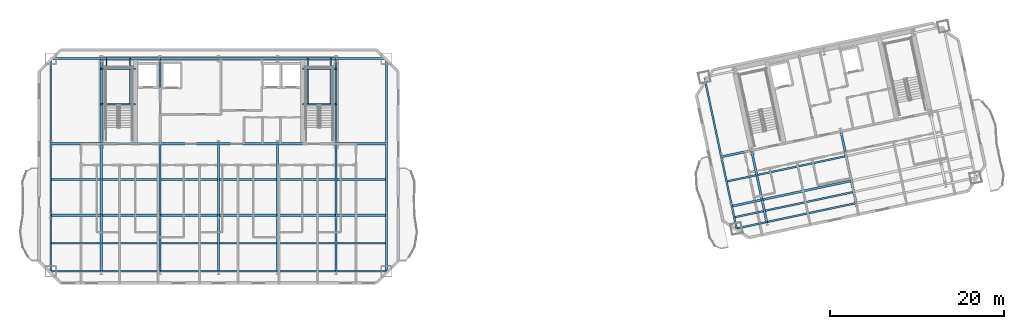
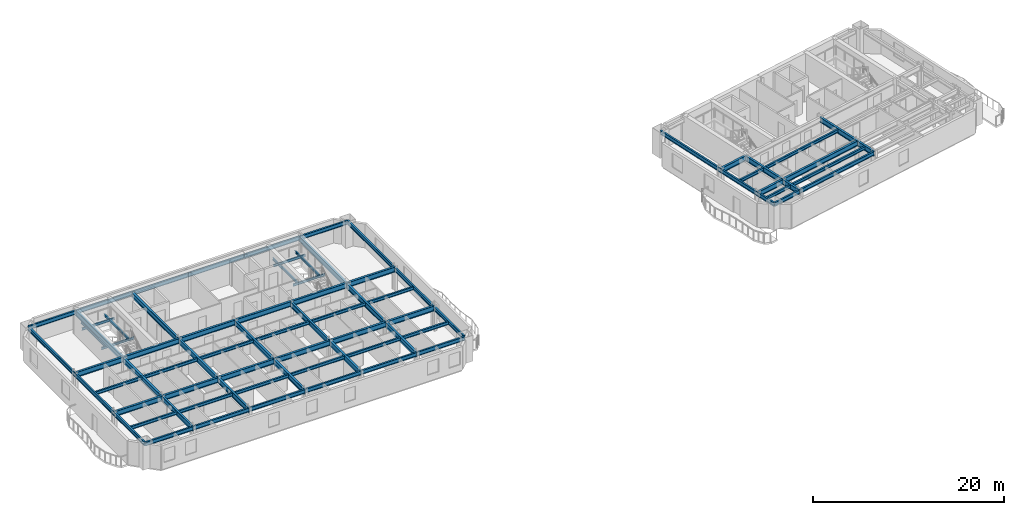
# One storey, part 3 of 14: 79 beams.
"""IFC4 building model written with IfcOpenShell, lengths in metres."""

from ifc_helpers import new_model, si_unit, direction, frame, origin, origin_2d, place, context, subcontext, project, spatial, i_section, extrude, material, material_profile, profile_set, type_object, element, save


model = new_model("IFC4")

# Units and contexts
model_context = context("Model", 3, precision=1e-05, world=origin(), true_north=direction((0.0, 1.0)))
body_context = subcontext(model_context, "Body", "Model", "MODEL_VIEW")
ifc_project = project(units=[si_unit("LENGTHUNIT", "METRE"), si_unit("AREAUNIT", "SQUARE_METRE"), si_unit("VOLUMEUNIT", "CUBIC_METRE"), si_unit("PLANEANGLEUNIT", "RADIAN"), si_unit("MASSUNIT", "GRAM", prefix="KILO")], contexts=[model_context])

# Site, building, storey
site_placement = place(None, origin())
site = spatial("IfcSite", under=ifc_project, at=site_placement, CompositionType="ELEMENT")
building_placement = place(site_placement, origin())
building = spatial("IfcBuilding", under=site, at=building_placement, Name="Haevon Station Towers", CompositionType="ELEMENT")
storey_placement = place(building_placement, frame((0.0, 0.0, 179.10009765625)))
storey = spatial("IfcBuildingStorey", under=building, at=storey_placement, Name="L49", CompositionType="ELEMENT", Elevation=179.10009765625)

# Beams
ifc_material = material(Name="Steel S355", Category="steel")
ifc_material_profile_1 = material_profile(ifc_material, i_section(OverallWidth=0.25, OverallDepth=0.64990234375, WebThickness=0.012939453125, FlangeThickness=0.02197265625, at=origin_2d()), Name="H-650x250x13x22")
ifc_profile_set_1 = profile_set([ifc_material_profile_1], Name="Steel S355")
beam_type_1 = type_object("IfcBeamType", Name="BM-G650", PredefinedType="BEAM", material=ifc_profile_set_1)
beam_1_placement = place(storey_placement, frame((18.199951171875, 30.0, 2.724853515625), z_axis=(1.0, 0.0, 0.0), x_axis=(0.0, 1.0, 0.0)))
element("IfcBeam", 1, at=beam_1_placement, inside=storey, type_object=beam_type_1, Name="BM-T1U-L49-02-01", PredefinedType="BEAM", context=body_context, shape_type="SweptSolid", body=[
    extrude(i_section(OverallWidth=0.25, OverallDepth=0.64990234375, WebThickness=0.012939453125, FlangeThickness=0.02197265625, at=origin_2d()), origin(), (0.0, 0.0, 1.0), 5.800048828125),
])
for number, where, z_axis, x_axis, name in (
    (2, (24.0, 30.0, 2.724853515625), (1.0, 0.0, 0.0), (0.0, 1.0, 0.0), "BM-T1U-L49-02-02"),
    (3, (30.75, 30.0, 2.724853515625), (1.0, 0.0, 0.0), (0.0, 1.0, 0.0), "BM-T1U-L49-02-03"),
    (4, (37.5, 30.0, 2.724853515625), (1.0, 0.0, 0.0), (0.0, 1.0, 0.0), "BM-T1U-L49-02-04"),
    (5, (44.25, 30.0, 2.724853515625), (1.0, 0.0, 0.0), (0.0, 1.0, 0.0), "BM-T1U-L49-02-05"),
):
    element("IfcBeam", number, at=place(storey_placement, frame(where, z_axis=z_axis, x_axis=x_axis)), inside=storey, type_object=beam_type_1, Name=name, PredefinedType="BEAM", context=body_context, shape_type="SweptSolid", body=[
        extrude(i_section(OverallWidth=0.25, OverallDepth=0.64990234375, WebThickness=0.012939453125, FlangeThickness=0.02197265625, at=origin_2d()), origin(), (0.0, 0.0, 1.0), 6.75),
    ])
for number, where, z_axis, x_axis, name in (
    (6, (51.0, 30.0, 2.724853515625), (1.0, 0.0, 0.0), (0.0, 1.0, 0.0), "BM-T1U-L49-02-06"),
    (7, (18.199951171875, 38.199951171875, 2.724853515625), (1.0, 0.0, 0.0), (0.0, 1.0, 0.0), "BM-T1U-L49-03-01"),
):
    element("IfcBeam", number, at=place(storey_placement, frame(where, z_axis=z_axis, x_axis=x_axis)), inside=storey, type_object=beam_type_1, Name=name, PredefinedType="BEAM", context=body_context, shape_type="SweptSolid", body=[
        extrude(i_section(OverallWidth=0.25, OverallDepth=0.64990234375, WebThickness=0.012939453125, FlangeThickness=0.02197265625, at=origin_2d()), origin(), (0.0, 0.0, 1.0), 5.800048828125),
    ])
for number, where, z_axis, x_axis, name in (
    (8, (24.0, 38.199951171875, 2.724853515625), (1.0, 0.0, 0.0), (0.0, 1.0, 0.0), "BM-T1U-L49-03-02"),
    (9, (30.75, 38.199951171875, 2.724853515625), (1.0, 0.0, 0.0), (0.0, 1.0, 0.0), "BM-T1U-L49-03-03"),
    (10, (37.5, 38.199951171875, 2.724853515625), (1.0, 0.0, 0.0), (0.0, 1.0, 0.0), "BM-T1U-L49-03-04"),
    (11, (44.25, 38.199951171875, 2.724853515625), (1.0, 0.0, 0.0), (0.0, 1.0, 0.0), "BM-T1U-L49-03-05"),
):
    element("IfcBeam", number, at=place(storey_placement, frame(where, z_axis=z_axis, x_axis=x_axis)), inside=storey, type_object=beam_type_1, Name=name, PredefinedType="BEAM", context=body_context, shape_type="SweptSolid", body=[
        extrude(i_section(OverallWidth=0.25, OverallDepth=0.64990234375, WebThickness=0.012939453125, FlangeThickness=0.02197265625, at=origin_2d()), origin(), (0.0, 0.0, 1.0), 6.75),
    ])
beam_2_placement = place(storey_placement, frame((51.0, 38.199951171875, 2.724853515625), z_axis=(1.0, 0.0, 0.0), x_axis=(0.0, 1.0, 0.0)))
element("IfcBeam", 12, at=beam_2_placement, inside=storey, type_object=beam_type_1, Name="BM-T1U-L49-03-06", PredefinedType="BEAM", context=body_context, shape_type="SweptSolid", body=[
    extrude(i_section(OverallWidth=0.25, OverallDepth=0.64990234375, WebThickness=0.012939453125, FlangeThickness=0.02197265625, at=origin_2d()), origin(), (0.0, 0.0, 1.0), 5.800048828125),
])
beam_3_placement = place(storey_placement, frame((24.0, 23.550048828125, 2.724853515625), z_axis=(0.0, 1.0, 0.0), x_axis=(-1.0, 0.0, 0.0)))
element("IfcBeam", 13, at=beam_3_placement, inside=storey, type_object=beam_type_1, Name="BM-T1V-L49-02-01", PredefinedType="BEAM", context=body_context, shape_type="SweptSolid", body=[
    extrude(i_section(OverallWidth=0.25, OverallDepth=0.64990234375, WebThickness=0.012939453125, FlangeThickness=0.02197265625, at=origin_2d()), origin(), (0.0, 0.0, 1.0), 6.449951171875),
])
beam_4_placement = place(storey_placement, frame((24.0, 30.0, 2.724853515625), z_axis=(0.0, 1.0, 0.0), x_axis=(-1.0, 0.0, 0.0)))
element("IfcBeam", 14, at=beam_4_placement, inside=storey, type_object=beam_type_1, Name="BM-T1V-L49-02-02", PredefinedType="BEAM", context=body_context, shape_type="SweptSolid", body=[
    extrude(i_section(OverallWidth=0.25, OverallDepth=0.64990234375, WebThickness=0.012939453125, FlangeThickness=0.02197265625, at=origin_2d()), origin(), (0.0, 0.0, 1.0), 8.199951171875),
])
beam_5_placement = place(storey_placement, frame((24.0, 38.199951171875, 2.724853515625), z_axis=(0.0, 1.0, 0.0), x_axis=(-1.0, 0.0, 0.0)))
element("IfcBeam", 15, at=beam_5_placement, inside=storey, type_object=beam_type_1, Name="BM-T1V-L49-02-03", PredefinedType="BEAM", context=body_context, shape_type="SweptSolid", body=[
    extrude(i_section(OverallWidth=0.25, OverallDepth=0.64990234375, WebThickness=0.012939453125, FlangeThickness=0.02197265625, at=origin_2d()), origin(), (0.0, 0.0, 1.0), 9.800048828125),
])
beam_6_placement = place(storey_placement, frame((30.75, 23.550048828125, 2.724853515625), z_axis=(0.0, 1.0, 0.0), x_axis=(-1.0, 0.0, 0.0)))
element("IfcBeam", 16, at=beam_6_placement, inside=storey, type_object=beam_type_1, Name="BM-T1V-L49-03-01", PredefinedType="BEAM", context=body_context, shape_type="SweptSolid", body=[
    extrude(i_section(OverallWidth=0.25, OverallDepth=0.64990234375, WebThickness=0.012939453125, FlangeThickness=0.02197265625, at=origin_2d()), origin(), (0.0, 0.0, 1.0), 6.449951171875),
])
beam_7_placement = place(storey_placement, frame((30.75, 30.0, 2.724853515625), z_axis=(0.0, 1.0, 0.0), x_axis=(-1.0, 0.0, 0.0)))
element("IfcBeam", 17, at=beam_7_placement, inside=storey, type_object=beam_type_1, Name="BM-T1V-L49-03-02", PredefinedType="BEAM", context=body_context, shape_type="SweptSolid", body=[
    extrude(i_section(OverallWidth=0.25, OverallDepth=0.64990234375, WebThickness=0.012939453125, FlangeThickness=0.02197265625, at=origin_2d()), origin(), (0.0, 0.0, 1.0), 8.199951171875),
])
beam_8_placement = place(storey_placement, frame((30.75, 38.199951171875, 2.724853515625), z_axis=(0.0, 1.0, 0.0), x_axis=(-1.0, 0.0, 0.0)))
element("IfcBeam", 18, at=beam_8_placement, inside=storey, type_object=beam_type_1, Name="BM-T1V-L49-03-03", PredefinedType="BEAM", context=body_context, shape_type="SweptSolid", body=[
    extrude(i_section(OverallWidth=0.25, OverallDepth=0.64990234375, WebThickness=0.012939453125, FlangeThickness=0.02197265625, at=origin_2d()), origin(), (0.0, 0.0, 1.0), 9.800048828125),
])
beam_9_placement = place(storey_placement, frame((37.5, 23.550048828125, 2.724853515625), z_axis=(0.0, 1.0, 0.0), x_axis=(-1.0, 0.0, 0.0)))
element("IfcBeam", 19, at=beam_9_placement, inside=storey, type_object=beam_type_1, Name="BM-T1V-L49-04-01", PredefinedType="BEAM", context=body_context, shape_type="SweptSolid", body=[
    extrude(i_section(OverallWidth=0.25, OverallDepth=0.64990234375, WebThickness=0.012939453125, FlangeThickness=0.02197265625, at=origin_2d()), origin(), (0.0, 0.0, 1.0), 6.449951171875),
])
beam_10_placement = place(storey_placement, frame((37.5, 30.0, 2.724853515625), z_axis=(0.0, 1.0, 0.0), x_axis=(-1.0, 0.0, 0.0)))
element("IfcBeam", 20, at=beam_10_placement, inside=storey, type_object=beam_type_1, Name="BM-T1V-L49-04-02", PredefinedType="BEAM", context=body_context, shape_type="SweptSolid", body=[
    extrude(i_section(OverallWidth=0.25, OverallDepth=0.64990234375, WebThickness=0.012939453125, FlangeThickness=0.02197265625, at=origin_2d()), origin(), (0.0, 0.0, 1.0), 8.199951171875),
])
beam_11_placement = place(storey_placement, frame((44.25, 23.550048828125, 2.724853515625), z_axis=(0.0, 1.0, 0.0), x_axis=(-1.0, 0.0, 0.0)))
element("IfcBeam", 21, at=beam_11_placement, inside=storey, type_object=beam_type_1, Name="BM-T1V-L49-05-01", PredefinedType="BEAM", context=body_context, shape_type="SweptSolid", body=[
    extrude(i_section(OverallWidth=0.25, OverallDepth=0.64990234375, WebThickness=0.012939453125, FlangeThickness=0.02197265625, at=origin_2d()), origin(), (0.0, 0.0, 1.0), 6.449951171875),
])
beam_12_placement = place(storey_placement, frame((44.25, 30.0, 2.724853515625), z_axis=(0.0, 1.0, 0.0), x_axis=(-1.0, 0.0, 0.0)))
element("IfcBeam", 22, at=beam_12_placement, inside=storey, type_object=beam_type_1, Name="BM-T1V-L49-05-02", PredefinedType="BEAM", context=body_context, shape_type="SweptSolid", body=[
    extrude(i_section(OverallWidth=0.25, OverallDepth=0.64990234375, WebThickness=0.012939453125, FlangeThickness=0.02197265625, at=origin_2d()), origin(), (0.0, 0.0, 1.0), 8.199951171875),
])
beam_13_placement = place(storey_placement, frame((51.0, 23.550048828125, 2.724853515625), z_axis=(0.0, 1.0, 0.0), x_axis=(-1.0, 0.0, 0.0)))
element("IfcBeam", 23, at=beam_13_placement, inside=storey, type_object=beam_type_1, Name="BM-T1V-L49-06-01", PredefinedType="BEAM", context=body_context, shape_type="SweptSolid", body=[
    extrude(i_section(OverallWidth=0.25, OverallDepth=0.64990234375, WebThickness=0.012939453125, FlangeThickness=0.02197265625, at=origin_2d()), origin(), (0.0, 0.0, 1.0), 6.449951171875),
])
beam_14_placement = place(storey_placement, frame((51.0, 30.0, 2.724853515625), z_axis=(0.0, 1.0, 0.0), x_axis=(-1.0, 0.0, 0.0)))
element("IfcBeam", 24, at=beam_14_placement, inside=storey, type_object=beam_type_1, Name="BM-T1V-L49-06-02", PredefinedType="BEAM", context=body_context, shape_type="SweptSolid", body=[
    extrude(i_section(OverallWidth=0.25, OverallDepth=0.64990234375, WebThickness=0.012939453125, FlangeThickness=0.02197265625, at=origin_2d()), origin(), (0.0, 0.0, 1.0), 8.199951171875),
])
beam_15_placement = place(storey_placement, frame((51.0, 38.199951171875, 2.724853515625), z_axis=(0.0, 1.0, 0.0), x_axis=(-1.0, 0.0, 0.0)))
element("IfcBeam", 25, at=beam_15_placement, inside=storey, type_object=beam_type_1, Name="BM-T1V-L49-06-03", PredefinedType="BEAM", context=body_context, shape_type="SweptSolid", body=[
    extrude(i_section(OverallWidth=0.25, OverallDepth=0.64990234375, WebThickness=0.012939453125, FlangeThickness=0.02197265625, at=origin_2d()), origin(), (0.0, 0.0, 1.0), 9.800048828125),
])
beam_16_placement = place(storey_placement, frame((96.48583984375, 31.031005859375, 2.724853515625), z_axis=(0.978150285663, 0.207899058817, 0.0), x_axis=(-0.207899058817, 0.978150285663, 0.0)))
element("IfcBeam", 26, at=beam_16_placement, inside=storey, type_object=beam_type_1, Name="BM-T2U-L49-02-01", PredefinedType="BEAM", context=body_context, shape_type="SweptSolid", body=[
    extrude(i_section(OverallWidth=0.25, OverallDepth=0.64990234375, WebThickness=0.012939453125, FlangeThickness=0.02197265625, at=origin_2d()), origin(), (0.0, 0.0, 1.0), 3.550048828125),
])
beam_17_placement = place(storey_placement, frame((99.958251953125, 31.76904296875, 2.724853515625), z_axis=(0.978146794194, 0.207915485254, 0.0), x_axis=(-0.207915485254, 0.978146794194, 0.0)))
element("IfcBeam", 27, at=beam_17_placement, inside=storey, type_object=beam_type_1, Name="BM-T2U-L49-02-02", PredefinedType="BEAM", context=body_context, shape_type="SweptSolid", body=[
    extrude(i_section(OverallWidth=0.25, OverallDepth=0.64990234375, WebThickness=0.012939453125, FlangeThickness=0.02197265625, at=origin_2d()), origin(), (0.0, 0.0, 1.0), 10.5),
])
beam_18_placement = place(storey_placement, frame((95.280029296875, 36.704345703125, 2.724853515625), z_axis=(0.978150285663, 0.207899058817, 0.0), x_axis=(-0.207899058817, 0.978150285663, 0.0)))
element("IfcBeam", 28, at=beam_18_placement, inside=storey, type_object=beam_type_1, Name="BM-T2U-L49-03-01", PredefinedType="BEAM", context=body_context, shape_type="SweptSolid", body=[
    extrude(i_section(OverallWidth=0.25, OverallDepth=0.64990234375, WebThickness=0.012939453125, FlangeThickness=0.02197265625, at=origin_2d()), origin(), (0.0, 0.0, 1.0), 3.550048828125),
])
beam_19_placement = place(storey_placement, frame((100.5029296875, 29.206298828125, 2.724853515625), z_axis=(-0.207893304367, 0.978151508714, 0.0), x_axis=(-0.978151508714, -0.207893304367, 0.0)))
element("IfcBeam", 29, at=beam_19_placement, inside=storey, type_object=beam_type_1, Name="BM-T2V-L49-02-01", PredefinedType="BEAM", context=body_context, shape_type="SweptSolid", body=[
    extrude(i_section(OverallWidth=0.25, OverallDepth=0.64990234375, WebThickness=0.012939453125, FlangeThickness=0.02197265625, at=origin_2d()), origin(), (0.0, 0.0, 1.0), 2.619873046875),
])
beam_20_placement = place(storey_placement, frame((99.958251953125, 31.76904296875, 2.724853515625), z_axis=(-0.207896009217, 0.97815093383, 0.0), x_axis=(-0.97815093383, -0.207896009217, 0.0)))
element("IfcBeam", 30, at=beam_20_placement, inside=storey, type_object=beam_type_1, Name="BM-T2V-L49-02-02", PredefinedType="BEAM", context=body_context, shape_type="SweptSolid", body=[
    extrude(i_section(OverallWidth=0.25, OverallDepth=0.64990234375, WebThickness=0.012939453125, FlangeThickness=0.02197265625, at=origin_2d()), origin(), (0.0, 0.0, 1.0), 5.800048828125),
])
beam_21_placement = place(storey_placement, frame((110.7734375, 31.389404296875, 2.724853515625), z_axis=(-0.207893304367, 0.978151508714, 0.0), x_axis=(-0.978151508714, -0.207893304367, 0.0)))
element("IfcBeam", 31, at=beam_21_placement, inside=storey, type_object=beam_type_1, Name="BM-T2V-L49-03-01", PredefinedType="BEAM", context=body_context, shape_type="SweptSolid", body=[
    extrude(i_section(OverallWidth=0.25, OverallDepth=0.64990234375, WebThickness=0.012939453125, FlangeThickness=0.02197265625, at=origin_2d()), origin(), (0.0, 0.0, 1.0), 2.619873046875),
])
beam_22_placement = place(storey_placement, frame((110.228759765625, 33.9521484375, 2.724853515625), z_axis=(-0.207896009217, 0.97815093383, 0.0), x_axis=(-0.97815093383, -0.207896009217, 0.0)))
element("IfcBeam", 32, at=beam_22_placement, inside=storey, type_object=beam_type_1, Name="BM-T2V-L49-03-02", PredefinedType="BEAM", context=body_context, shape_type="SweptSolid", body=[
    extrude(i_section(OverallWidth=0.25, OverallDepth=0.64990234375, WebThickness=0.012939453125, FlangeThickness=0.02197265625, at=origin_2d()), origin(), (0.0, 0.0, 1.0), 5.800048828125),
])
ifc_material_profile_2 = material_profile(ifc_material, i_section(OverallWidth=0.199951171875, OverallDepth=0.39990234375, WebThickness=0.008056640625, FlangeThickness=0.012939453125, at=origin_2d()), Name="H-400x200x8x13")
ifc_profile_set_2 = profile_set([ifc_material_profile_2], Name="Steel S355")
beam_type_2 = type_object("IfcBeamType", Name="BM-J400", PredefinedType="JOIST", material=ifc_profile_set_2)
beam_23_placement = place(storey_placement, frame((18.31005859375, 26.77490234375, 2.849853515625), z_axis=(1.0, 0.0, 0.0), x_axis=(0.0, 1.0, 0.0)))
element("IfcBeam", 33, at=beam_23_placement, inside=storey, type_object=beam_type_2, Name="BM-T1J-L49-01-01", PredefinedType="JOIST", context=body_context, shape_type="SweptSolid", body=[
    extrude(i_section(OverallWidth=0.199951171875, OverallDepth=0.39990234375, WebThickness=0.008056640625, FlangeThickness=0.012939453125, at=origin_2d()), origin(), (0.0, 0.0, 1.0), 5.579833984375),
])
for number, where, z_axis, x_axis, name in (
    (34, (24.110107421875, 26.77490234375, 2.849853515625), (1.0, 0.0, 0.0), (0.0, 1.0, 0.0), "BM-T1J-L49-01-02"),
    (35, (30.860107421875, 26.77490234375, 2.849853515625), (1.0, 0.0, 0.0), (0.0, 1.0, 0.0), "BM-T1J-L49-01-03"),
    (36, (37.610107421875, 26.77490234375, 2.849853515625), (1.0, 0.0, 0.0), (0.0, 1.0, 0.0), "BM-T1J-L49-01-04"),
    (37, (44.360107421875, 26.77490234375, 2.849853515625), (1.0, 0.0, 0.0), (0.0, 1.0, 0.0), "BM-T1J-L49-01-05"),
):
    element("IfcBeam", number, at=place(storey_placement, frame(where, z_axis=z_axis, x_axis=x_axis)), inside=storey, type_object=beam_type_2, Name=name, PredefinedType="JOIST", context=body_context, shape_type="SweptSolid", body=[
        extrude(i_section(OverallWidth=0.199951171875, OverallDepth=0.39990234375, WebThickness=0.008056640625, FlangeThickness=0.012939453125, at=origin_2d()), origin(), (0.0, 0.0, 1.0), 6.52978515625),
    ])
for number, where, z_axis, x_axis, name in (
    (38, (51.110107421875, 26.77490234375, 2.849853515625), (1.0, 0.0, 0.0), (0.0, 1.0, 0.0), "BM-T1J-L49-01-06"),
    (39, (18.31005859375, 34.10009765625, 2.849853515625), (1.0, 0.0, 0.0), (0.0, 1.0, 0.0), "BM-T1J-L49-02-01"),
):
    element("IfcBeam", number, at=place(storey_placement, frame(where, z_axis=z_axis, x_axis=x_axis)), inside=storey, type_object=beam_type_2, Name=name, PredefinedType="JOIST", context=body_context, shape_type="SweptSolid", body=[
        extrude(i_section(OverallWidth=0.199951171875, OverallDepth=0.39990234375, WebThickness=0.008056640625, FlangeThickness=0.012939453125, at=origin_2d()), origin(), (0.0, 0.0, 1.0), 5.579833984375),
    ])
for number, where, z_axis, x_axis, name in (
    (40, (24.110107421875, 34.10009765625, 2.849853515625), (1.0, 0.0, 0.0), (0.0, 1.0, 0.0), "BM-T1J-L49-02-02"),
    (41, (30.860107421875, 34.10009765625, 2.849853515625), (1.0, 0.0, 0.0), (0.0, 1.0, 0.0), "BM-T1J-L49-02-03"),
    (42, (37.610107421875, 34.10009765625, 2.849853515625), (1.0, 0.0, 0.0), (0.0, 1.0, 0.0), "BM-T1J-L49-02-04"),
    (43, (44.360107421875, 34.10009765625, 2.849853515625), (1.0, 0.0, 0.0), (0.0, 1.0, 0.0), "BM-T1J-L49-02-05"),
):
    element("IfcBeam", number, at=place(storey_placement, frame(where, z_axis=z_axis, x_axis=x_axis)), inside=storey, type_object=beam_type_2, Name=name, PredefinedType="JOIST", context=body_context, shape_type="SweptSolid", body=[
        extrude(i_section(OverallWidth=0.199951171875, OverallDepth=0.39990234375, WebThickness=0.008056640625, FlangeThickness=0.012939453125, at=origin_2d()), origin(), (0.0, 0.0, 1.0), 6.52978515625),
    ])
beam_24_placement = place(storey_placement, frame((51.110107421875, 34.10009765625, 2.849853515625), z_axis=(1.0, 0.0, 0.0), x_axis=(0.0, 1.0, 0.0)))
element("IfcBeam", 44, at=beam_24_placement, inside=storey, type_object=beam_type_2, Name="BM-T1J-L49-02-06", PredefinedType="JOIST", context=body_context, shape_type="SweptSolid", body=[
    extrude(i_section(OverallWidth=0.199951171875, OverallDepth=0.39990234375, WebThickness=0.008056640625, FlangeThickness=0.012939453125, at=origin_2d()), origin(), (0.0, 0.0, 1.0), 5.579833984375),
])
beam_25_placement = place(storey_placement, frame((96.86572265625, 29.7724609375, 2.849853515625), z_axis=(0.978146551768, 0.207916625754, 0.0), x_axis=(-0.207916625754, 0.978146551768, 0.0)))
element("IfcBeam", 45, at=beam_25_placement, inside=storey, type_object=beam_type_2, Name="BM-T2J-L49-01-01", PredefinedType="JOIST", context=body_context, shape_type="SweptSolid", body=[
    extrude(i_section(OverallWidth=0.199951171875, OverallDepth=0.39990234375, WebThickness=0.008056640625, FlangeThickness=0.012939453125, at=origin_2d()), origin(), (0.0, 0.0, 1.0), 3.330078125),
])
beam_26_placement = place(storey_placement, frame((100.338134765625, 30.5107421875, 2.849853515625), z_axis=(0.978150339653, 0.207898804801, 0.0), x_axis=(-0.207898804801, 0.978150339653, 0.0)))
element("IfcBeam", 46, at=beam_26_placement, inside=storey, type_object=beam_type_2, Name="BM-T2J-L49-01-02", PredefinedType="JOIST", context=body_context, shape_type="SweptSolid", body=[
    extrude(i_section(OverallWidth=0.199951171875, OverallDepth=0.39990234375, WebThickness=0.008056640625, FlangeThickness=0.012939453125, at=origin_2d()), origin(), (0.0, 0.0, 1.0), 10.280029296875),
])
beam_27_placement = place(storey_placement, frame((95.990478515625, 33.890625, 2.849853515625), z_axis=(0.978146551768, 0.207916625754, 0.0), x_axis=(-0.207916625754, 0.978146551768, 0.0)))
element("IfcBeam", 47, at=beam_27_placement, inside=storey, type_object=beam_type_2, Name="BM-T2J-L49-02-01", PredefinedType="JOIST", context=body_context, shape_type="SweptSolid", body=[
    extrude(i_section(OverallWidth=0.199951171875, OverallDepth=0.39990234375, WebThickness=0.008056640625, FlangeThickness=0.012939453125, at=origin_2d()), origin(), (0.0, 0.0, 1.0), 3.330078125),
])
beam_28_placement = place(storey_placement, frame((99.462890625, 34.628662109375, 2.849853515625), z_axis=(0.978150339653, 0.207898804801, 0.0), x_axis=(-0.207898804801, 0.978150339653, 0.0)))
element("IfcBeam", 48, at=beam_28_placement, inside=storey, type_object=beam_type_2, Name="BM-T2J-L49-02-02", PredefinedType="JOIST", context=body_context, shape_type="SweptSolid", body=[
    extrude(i_section(OverallWidth=0.199951171875, OverallDepth=0.39990234375, WebThickness=0.008056640625, FlangeThickness=0.012939453125, at=origin_2d()), origin(), (0.0, 0.0, 1.0), 10.280029296875),
])
ifc_material_profile_3 = material_profile(ifc_material, i_section(OverallWidth=0.14990234375, OverallDepth=0.300048828125, WebThickness=0.006591796875, FlangeThickness=0.009033203125, at=origin_2d()), Name="H-300x150x6.5x9")
ifc_profile_set_3 = profile_set([ifc_material_profile_3], Name="Steel S355")
beam_type_3 = type_object("IfcBeamType", Name="BM-LIN300", PredefinedType="LINTEL", material=ifc_profile_set_3)
for number, where, z_axis, x_axis, name in (
    (49, (24.0, 42.743896484375, 1.2998046875), (1.0, 0.0, 0.0), (0.0, 1.0, 0.0), "BM-ST1L-L49-1-S"),
    (50, (24.0, 46.820068359375, 1.2998046875), (1.0, 0.0, 0.0), (0.0, 1.0, 0.0), "BM-ST1L-L49-1-N"),
):
    element("IfcBeam", number, at=place(storey_placement, frame(where, z_axis=z_axis, x_axis=x_axis)), inside=storey, type_object=beam_type_3, Name=name, PredefinedType="LINTEL", context=body_context, shape_type="SweptSolid", body=[
        extrude(i_section(OverallWidth=0.14990234375, OverallDepth=0.300048828125, WebThickness=0.006591796875, FlangeThickness=0.009033203125, at=origin_2d()), origin(), (0.0, 0.0, 1.0), 3.949951171875),
    ])
for number, where, z_axis, x_axis, name in (
    (51, (24.60009765625, 42.743896484375, 1.2998046875), (0.0, 1.0, 0.0), (-1.0, 0.0, 0.0), "BM-ST1L-L49-1-W"),
    (52, (27.35009765625, 42.743896484375, 1.2998046875), (0.0, 1.0, 0.0), (-1.0, 0.0, 0.0), "BM-ST1L-L49-1-E"),
):
    element("IfcBeam", number, at=place(storey_placement, frame(where, z_axis=z_axis, x_axis=x_axis)), inside=storey, type_object=beam_type_3, Name=name, PredefinedType="LINTEL", context=body_context, shape_type="SweptSolid", body=[
        extrude(i_section(OverallWidth=0.14990234375, OverallDepth=0.300048828125, WebThickness=0.006591796875, FlangeThickness=0.009033203125, at=origin_2d()), origin(), (0.0, 0.0, 1.0), 5.256103515625),
    ])
for number, where, z_axis, x_axis, name in (
    (53, (47.14990234375, 42.743896484375, 1.2998046875), (1.0, 0.0, 0.0), (0.0, 1.0, 0.0), "BM-ST2L-L49-1-S"),
    (54, (47.14990234375, 46.820068359375, 1.2998046875), (1.0, 0.0, 0.0), (0.0, 1.0, 0.0), "BM-ST2L-L49-1-N"),
):
    element("IfcBeam", number, at=place(storey_placement, frame(where, z_axis=z_axis, x_axis=x_axis)), inside=storey, type_object=beam_type_3, Name=name, PredefinedType="LINTEL", context=body_context, shape_type="SweptSolid", body=[
        extrude(i_section(OverallWidth=0.14990234375, OverallDepth=0.300048828125, WebThickness=0.006591796875, FlangeThickness=0.009033203125, at=origin_2d()), origin(), (0.0, 0.0, 1.0), 3.85009765625),
    ])
for number, where, z_axis, x_axis, name in (
    (55, (47.75, 42.743896484375, 1.2998046875), (0.0, 1.0, 0.0), (-1.0, 0.0, 0.0), "BM-ST2L-L49-1-W"),
    (56, (50.39990234375, 42.743896484375, 1.2998046875), (0.0, 1.0, 0.0), (-1.0, 0.0, 0.0), "BM-ST2L-L49-1-E"),
):
    element("IfcBeam", number, at=place(storey_placement, frame(where, z_axis=z_axis, x_axis=x_axis)), inside=storey, type_object=beam_type_3, Name=name, PredefinedType="LINTEL", context=body_context, shape_type="SweptSolid", body=[
        extrude(i_section(OverallWidth=0.14990234375, OverallDepth=0.300048828125, WebThickness=0.006591796875, FlangeThickness=0.009033203125, at=origin_2d()), origin(), (0.0, 0.0, 1.0), 5.256103515625),
    ])
ifc_material_profile_4 = material_profile(ifc_material, i_section(OverallWidth=0.199951171875, OverallDepth=0.5, WebThickness=0.010009765625, FlangeThickness=0.01611328125, at=origin_2d()), Name="H-500x200x10x16")
ifc_profile_set_4 = profile_set([ifc_material_profile_4], Name="Steel S355")
beam_type_4 = type_object("IfcBeamType", Name="BM-SP500", PredefinedType="SPANDREL", material=ifc_profile_set_4)
beam_29_placement = place(storey_placement, frame((18.199951171875, 23.550048828125, 2.7998046875), z_axis=(1.0, 0.0, 0.0), x_axis=(0.0, 1.0, 0.0)))
element("IfcBeam", 57, at=beam_29_placement, inside=storey, type_object=beam_type_4, Name="BM-T1U-L49-01-01", PredefinedType="SPANDREL", context=body_context, shape_type="SweptSolid", body=[
    extrude(i_section(OverallWidth=0.199951171875, OverallDepth=0.5, WebThickness=0.010009765625, FlangeThickness=0.01611328125, at=origin_2d()), origin(), (0.0, 0.0, 1.0), 5.800048828125),
])
for number, where, z_axis, x_axis, name in (
    (58, (24.0, 23.550048828125, 2.7998046875), (1.0, 0.0, 0.0), (0.0, 1.0, 0.0), "BM-T1U-L49-01-02"),
    (59, (30.75, 23.550048828125, 2.7998046875), (1.0, 0.0, 0.0), (0.0, 1.0, 0.0), "BM-T1U-L49-01-03"),
    (60, (37.5, 23.550048828125, 2.7998046875), (1.0, 0.0, 0.0), (0.0, 1.0, 0.0), "BM-T1U-L49-01-04"),
    (61, (44.25, 23.550048828125, 2.7998046875), (1.0, 0.0, 0.0), (0.0, 1.0, 0.0), "BM-T1U-L49-01-05"),
):
    element("IfcBeam", number, at=place(storey_placement, frame(where, z_axis=z_axis, x_axis=x_axis)), inside=storey, type_object=beam_type_4, Name=name, PredefinedType="SPANDREL", context=body_context, shape_type="SweptSolid", body=[
        extrude(i_section(OverallWidth=0.199951171875, OverallDepth=0.5, WebThickness=0.010009765625, FlangeThickness=0.01611328125, at=origin_2d()), origin(), (0.0, 0.0, 1.0), 6.75),
    ])
for number, where, z_axis, x_axis, name in (
    (62, (51.0, 23.550048828125, 2.7998046875), (1.0, 0.0, 0.0), (0.0, 1.0, 0.0), "BM-T1U-L49-01-06"),
    (63, (18.199951171875, 48.0, 2.7998046875), (1.0, 0.0, 0.0), (0.0, 1.0, 0.0), "BM-T1U-L49-04-01"),
):
    element("IfcBeam", number, at=place(storey_placement, frame(where, z_axis=z_axis, x_axis=x_axis)), inside=storey, type_object=beam_type_4, Name=name, PredefinedType="SPANDREL", context=body_context, shape_type="SweptSolid", body=[
        extrude(i_section(OverallWidth=0.199951171875, OverallDepth=0.5, WebThickness=0.010009765625, FlangeThickness=0.01611328125, at=origin_2d()), origin(), (0.0, 0.0, 1.0), 5.800048828125),
    ])
for number, where, z_axis, x_axis, name in (
    (64, (24.0, 48.0, 2.7998046875), (1.0, 0.0, 0.0), (0.0, 1.0, 0.0), "BM-T1U-L49-04-02"),
    (65, (30.75, 48.0, 2.7998046875), (1.0, 0.0, 0.0), (0.0, 1.0, 0.0), "BM-T1U-L49-04-03"),
    (66, (37.5, 48.0, 2.7998046875), (1.0, 0.0, 0.0), (0.0, 1.0, 0.0), "BM-T1U-L49-04-04"),
    (67, (44.25, 48.0, 2.7998046875), (1.0, 0.0, 0.0), (0.0, 1.0, 0.0), "BM-T1U-L49-04-05"),
):
    element("IfcBeam", number, at=place(storey_placement, frame(where, z_axis=z_axis, x_axis=x_axis)), inside=storey, type_object=beam_type_4, Name=name, PredefinedType="SPANDREL", context=body_context, shape_type="SweptSolid", body=[
        extrude(i_section(OverallWidth=0.199951171875, OverallDepth=0.5, WebThickness=0.010009765625, FlangeThickness=0.01611328125, at=origin_2d()), origin(), (0.0, 0.0, 1.0), 6.75),
    ])
beam_30_placement = place(storey_placement, frame((51.0, 48.0, 2.7998046875), z_axis=(1.0, 0.0, 0.0), x_axis=(0.0, 1.0, 0.0)))
element("IfcBeam", 68, at=beam_30_placement, inside=storey, type_object=beam_type_4, Name="BM-T1U-L49-04-06", PredefinedType="SPANDREL", context=body_context, shape_type="SweptSolid", body=[
    extrude(i_section(OverallWidth=0.199951171875, OverallDepth=0.5, WebThickness=0.010009765625, FlangeThickness=0.01611328125, at=origin_2d()), origin(), (0.0, 0.0, 1.0), 5.800048828125),
])
beam_31_placement = place(storey_placement, frame((18.199951171875, 23.550048828125, 2.7998046875), z_axis=(0.0, 1.0, 0.0), x_axis=(-1.0, 0.0, 0.0)))
element("IfcBeam", 69, at=beam_31_placement, inside=storey, type_object=beam_type_4, Name="BM-T1V-L49-01-01", PredefinedType="SPANDREL", context=body_context, shape_type="SweptSolid", body=[
    extrude(i_section(OverallWidth=0.199951171875, OverallDepth=0.5, WebThickness=0.010009765625, FlangeThickness=0.01611328125, at=origin_2d()), origin(), (0.0, 0.0, 1.0), 6.449951171875),
])
beam_32_placement = place(storey_placement, frame((18.199951171875, 30.0, 2.7998046875), z_axis=(0.0, 1.0, 0.0), x_axis=(-1.0, 0.0, 0.0)))
element("IfcBeam", 70, at=beam_32_placement, inside=storey, type_object=beam_type_4, Name="BM-T1V-L49-01-02", PredefinedType="SPANDREL", context=body_context, shape_type="SweptSolid", body=[
    extrude(i_section(OverallWidth=0.199951171875, OverallDepth=0.5, WebThickness=0.010009765625, FlangeThickness=0.01611328125, at=origin_2d()), origin(), (0.0, 0.0, 1.0), 8.199951171875),
])
beam_33_placement = place(storey_placement, frame((18.199951171875, 38.199951171875, 2.7998046875), z_axis=(0.0, 1.0, 0.0), x_axis=(-1.0, 0.0, 0.0)))
element("IfcBeam", 71, at=beam_33_placement, inside=storey, type_object=beam_type_4, Name="BM-T1V-L49-01-03", PredefinedType="SPANDREL", context=body_context, shape_type="SweptSolid", body=[
    extrude(i_section(OverallWidth=0.199951171875, OverallDepth=0.5, WebThickness=0.010009765625, FlangeThickness=0.01611328125, at=origin_2d()), origin(), (0.0, 0.0, 1.0), 9.800048828125),
])
beam_34_placement = place(storey_placement, frame((56.800048828125, 23.550048828125, 2.7998046875), z_axis=(0.0, 1.0, 0.0), x_axis=(-1.0, 0.0, 0.0)))
element("IfcBeam", 72, at=beam_34_placement, inside=storey, type_object=beam_type_4, Name="BM-T1V-L49-07-01", PredefinedType="SPANDREL", context=body_context, shape_type="SweptSolid", body=[
    extrude(i_section(OverallWidth=0.199951171875, OverallDepth=0.5, WebThickness=0.010009765625, FlangeThickness=0.01611328125, at=origin_2d()), origin(), (0.0, 0.0, 1.0), 6.449951171875),
])
beam_35_placement = place(storey_placement, frame((56.800048828125, 30.0, 2.7998046875), z_axis=(0.0, 1.0, 0.0), x_axis=(-1.0, 0.0, 0.0)))
element("IfcBeam", 73, at=beam_35_placement, inside=storey, type_object=beam_type_4, Name="BM-T1V-L49-07-02", PredefinedType="SPANDREL", context=body_context, shape_type="SweptSolid", body=[
    extrude(i_section(OverallWidth=0.199951171875, OverallDepth=0.5, WebThickness=0.010009765625, FlangeThickness=0.01611328125, at=origin_2d()), origin(), (0.0, 0.0, 1.0), 8.199951171875),
])
beam_36_placement = place(storey_placement, frame((56.800048828125, 38.199951171875, 2.7998046875), z_axis=(0.0, 1.0, 0.0), x_axis=(-1.0, 0.0, 0.0)))
element("IfcBeam", 74, at=beam_36_placement, inside=storey, type_object=beam_type_4, Name="BM-T1V-L49-07-03", PredefinedType="SPANDREL", context=body_context, shape_type="SweptSolid", body=[
    extrude(i_section(OverallWidth=0.199951171875, OverallDepth=0.5, WebThickness=0.010009765625, FlangeThickness=0.01611328125, at=origin_2d()), origin(), (0.0, 0.0, 1.0), 9.800048828125),
])
beam_37_placement = place(storey_placement, frame((97.030517578125, 28.46826171875, 2.7998046875), z_axis=(0.978150285663, 0.207899058817, 0.0), x_axis=(-0.207899058817, 0.978150285663, 0.0)))
element("IfcBeam", 75, at=beam_37_placement, inside=storey, type_object=beam_type_4, Name="BM-T2U-L49-01-01", PredefinedType="SPANDREL", context=body_context, shape_type="SweptSolid", body=[
    extrude(i_section(OverallWidth=0.199951171875, OverallDepth=0.5, WebThickness=0.010009765625, FlangeThickness=0.01611328125, at=origin_2d()), origin(), (0.0, 0.0, 1.0), 3.550048828125),
])
beam_38_placement = place(storey_placement, frame((100.5029296875, 29.206298828125, 2.7998046875), z_axis=(0.978146794194, 0.207915485254, 0.0), x_axis=(-0.207915485254, 0.978146794194, 0.0)))
element("IfcBeam", 76, at=beam_38_placement, inside=storey, type_object=beam_type_4, Name="BM-T2U-L49-01-02", PredefinedType="SPANDREL", context=body_context, shape_type="SweptSolid", body=[
    extrude(i_section(OverallWidth=0.199951171875, OverallDepth=0.5, WebThickness=0.010009765625, FlangeThickness=0.01611328125, at=origin_2d()), origin(), (0.0, 0.0, 1.0), 10.5),
])
beam_39_placement = place(storey_placement, frame((97.030517578125, 28.46826171875, 2.7998046875), z_axis=(-0.207893304367, 0.978151508714, 0.0), x_axis=(-0.978151508714, -0.207893304367, 0.0)))
element("IfcBeam", 77, at=beam_39_placement, inside=storey, type_object=beam_type_4, Name="BM-T2V-L49-01-01", PredefinedType="SPANDREL", context=body_context, shape_type="SweptSolid", body=[
    extrude(i_section(OverallWidth=0.199951171875, OverallDepth=0.5, WebThickness=0.010009765625, FlangeThickness=0.01611328125, at=origin_2d()), origin(), (0.0, 0.0, 1.0), 2.619873046875),
])
beam_40_placement = place(storey_placement, frame((96.48583984375, 31.031005859375, 2.7998046875), z_axis=(-0.207896009217, 0.97815093383, 0.0), x_axis=(-0.97815093383, -0.207896009217, 0.0)))
element("IfcBeam", 78, at=beam_40_placement, inside=storey, type_object=beam_type_4, Name="BM-T2V-L49-01-02", PredefinedType="SPANDREL", context=body_context, shape_type="SweptSolid", body=[
    extrude(i_section(OverallWidth=0.199951171875, OverallDepth=0.5, WebThickness=0.010009765625, FlangeThickness=0.01611328125, at=origin_2d()), origin(), (0.0, 0.0, 1.0), 5.800048828125),
])
beam_41_placement = place(storey_placement, frame((95.280029296875, 36.704345703125, 2.7998046875), z_axis=(-0.207922149488, 0.978145377616, 0.0), x_axis=(-0.978145377616, -0.207922149488, 0.0)))
element("IfcBeam", 79, at=beam_41_placement, inside=storey, type_object=beam_type_4, Name="BM-T2V-L49-01-03", PredefinedType="SPANDREL", context=body_context, shape_type="SweptSolid", body=[
    extrude(i_section(OverallWidth=0.199951171875, OverallDepth=0.5, WebThickness=0.010009765625, FlangeThickness=0.01611328125, at=origin_2d()), origin(), (0.0, 0.0, 1.0), 9.35009765625),
])

save(model, "model.ifc")
